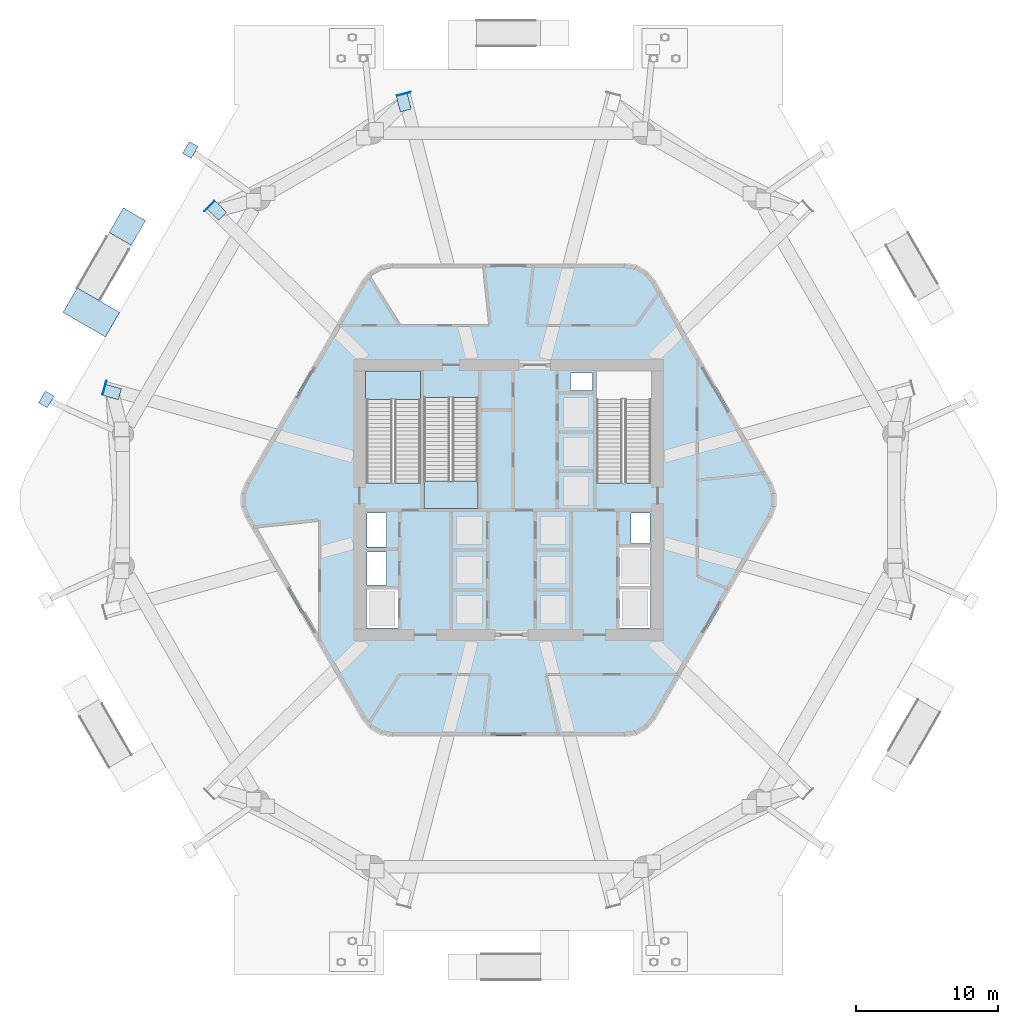
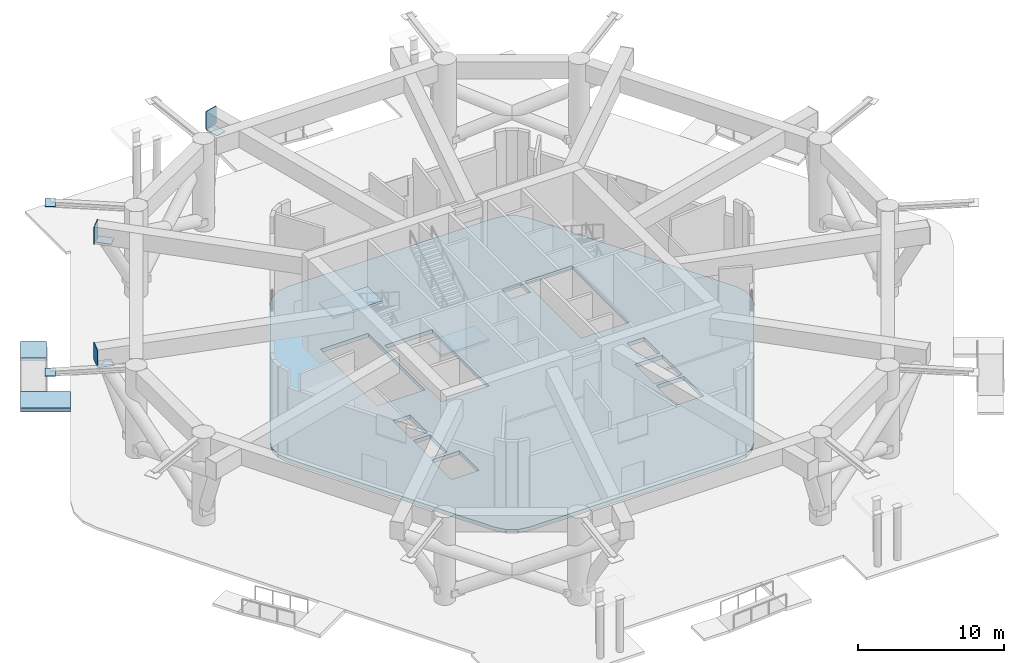
# One storey, part 6 of 17: 8 plates, 5 slabs, 2 elements without a shape of their own.
"""IFC4 building model written with IfcOpenShell, lengths in metres."""

import ifcopenshell
import ifcopenshell.guid

model = None  # the IFC model being written
_history = None  # IfcOwnerHistory: only IFC2X3 demands one
_inside = {}  # id of a spatial element -> (the spatial element, [elements in it])
_under = {}  # id of a project, library or spatial element -> (it, [spatial elements below it])
_declared = {}  # id of a project -> (the project, [libraries it declares])
_typed = {}  # id of a type object -> (the type object, [elements of that type])
_made_of = {}  # id of a material, layer set ... -> (it, [elements and type objects made of it])


def new_model(schema):
    """Start an empty IFC model of exactly this schema.

    Asked for "IFC4X3", IfcOpenShell would pick the latest addendum, in which some entities
    have other attributes; the version numbers below select the first issue.
    IFC2X3 requires an IfcOwnerHistory on every rooted entity: one is made here for all.
    """
    global model, _history
    if schema == "IFC4X3":
        model = ifcopenshell.file(schema_version=(4, 3, 0, 0))
    else:
        model = ifcopenshell.file(schema=schema)
    _inside.clear()
    _under.clear()
    _declared.clear()
    _typed.clear()
    _made_of.clear()
    _history = None
    if model.schema == "IFC2X3":
        org = make("IfcOrganization", Name="unknown")
        user = make(
            "IfcPersonAndOrganization",
            ThePerson=make("IfcPerson", FamilyName="unknown"),
            TheOrganization=org,
        )
        app = make(
            "IfcApplication",
            ApplicationDeveloper=org,
            Version="unknown",
            ApplicationFullName="unknown",
            ApplicationIdentifier="unknown",
        )
        _history = make(
            "IfcOwnerHistory",
            OwningUser=user,
            OwningApplication=app,
            ChangeAction="ADDED",
            CreationDate=0,
        )
    return model


def make(cls, **values):
    """One entity of the class cls with the attributes given. An attribute that is None is left unset."""
    return model.create_entity(
        cls, **{name: value for name, value in values.items() if value is not None}
    )


def rooted(cls, **values):
    """An entity with a GlobalId (a new one), such as an element, a storey or a relation."""
    return make(cls, GlobalId=ifcopenshell.guid.new(), OwnerHistory=_history, **values)


def si_unit(unit_type, name, prefix=None):
    """IfcSIUnit, for example si_unit("LENGTHUNIT", "METRE", prefix="MILLI")."""
    return make("IfcSIUnit", UnitType=unit_type, Prefix=prefix, Name=name)


def assignment(units):
    """IfcUnitAssignment: the units of a project."""
    return None if units is None else make("IfcUnitAssignment", Units=units)


def point(xyz):
    """IfcCartesianPoint."""
    return None if xyz is None else make("IfcCartesianPoint", Coordinates=xyz)


def direction(xyz):
    """IfcDirection."""
    return None if xyz is None else make("IfcDirection", DirectionRatios=xyz)


def frame(location, z_axis=None, x_axis=None):
    """IfcAxis2Placement3D, a coordinate frame: its origin and axes. An axis left out is left unset."""
    return make(
        "IfcAxis2Placement3D",
        Location=point(location),
        Axis=direction(z_axis),
        RefDirection=direction(x_axis),
    )


def frame_2d(location, x_axis=None):
    """IfcAxis2Placement2D, a coordinate frame in the plane: its origin and x axis."""
    return make(
        "IfcAxis2Placement2D", Location=point(location), RefDirection=direction(x_axis)
    )


def origin():
    """The frame at (0, 0, 0) with its axes left unset."""
    return frame((0.0, 0.0, 0.0))


def origin_2d():
    """The frame at (0, 0) in the plane with its x axis left unset."""
    return frame_2d((0.0, 0.0))


def place(relative_to, where):
    """IfcLocalPlacement: puts the frame where relative to a parent placement (None: the world)."""
    return make(
        "IfcLocalPlacement", PlacementRelTo=relative_to, RelativePlacement=where
    )


def context(
    kind, dimensions, precision=None, world=None, true_north=None, identifier=None
):
    """IfcGeometricRepresentationContext, for example the 3D "Model" context."""
    return make(
        "IfcGeometricRepresentationContext",
        ContextIdentifier=identifier,
        ContextType=kind,
        CoordinateSpaceDimension=dimensions,
        Precision=precision,
        WorldCoordinateSystem=world,
        TrueNorth=true_north,
    )


def subcontext(parent, identifier, kind, view, scale=None):
    """IfcGeometricRepresentationSubContext, for example "Body" below "Model"."""
    return make(
        "IfcGeometricRepresentationSubContext",
        ContextIdentifier=identifier,
        ContextType=kind,
        ParentContext=parent,
        TargetScale=scale,
        TargetView=view,
    )


def project(units=None, contexts=None):
    """IfcProject with its units and contexts."""
    return rooted(
        "IfcProject",
        Name="project",
        RepresentationContexts=contexts,
        UnitsInContext=assignment(units),
    )


def spatial(cls, under=None, at=None, **own):
    """A site, building, storey or space (cls), placed at a placement, below another one or the project."""
    s = rooted(cls, ObjectPlacement=at, **own)
    if under is not None:
        _under.setdefault(under.id(), (under, []))[1].append(s)
    return s


def polyline(points):
    """IfcPolyline through the points."""
    return make("IfcPolyline", Points=[point(p) for p in points])


def profile(cls, at=None, kind="AREA", **sizes):
    """A parametric profile (cls). Its sizes go by their IFC names, for example OverallWidth=200.0."""
    return make(cls, ProfileType=kind, Position=at, **sizes)


def rectangle(**sizes):
    """IfcRectangleProfileDef."""
    return profile("IfcRectangleProfileDef", **sizes)


def outline(outer, holes=None, kind="AREA"):
    """IfcArbitraryClosedProfileDef: a profile drawn as a closed curve; with holes, ...WithVoids."""
    if holes is None:
        return make("IfcArbitraryClosedProfileDef", ProfileType=kind, OuterCurve=outer)
    return make(
        "IfcArbitraryProfileDefWithVoids",
        ProfileType=kind,
        OuterCurve=outer,
        InnerCurves=holes,
    )


def extrude(swept, where, along, depth):
    """IfcExtrudedAreaSolid: the profile swept, set in the frame where, extruded along a direction by depth."""
    return make(
        "IfcExtrudedAreaSolid",
        SweptArea=swept,
        Position=where,
        ExtrudedDirection=direction(along),
        Depth=depth,
    )


def shape(context_of_items, identifier, shape_type, items):
    """IfcShapeRepresentation: the items that make up one representation, for example the "Body"."""
    return make(
        "IfcShapeRepresentation",
        ContextOfItems=context_of_items,
        RepresentationIdentifier=identifier,
        RepresentationType=shape_type,
        Items=items,
    )


def material(Name=None, Category=None):
    """IfcMaterial."""
    return make("IfcMaterial", Name=Name, Category=Category)


def layer(
    of_material, thickness, ventilated=None, Name=None, Category=None, Priority=None
):
    """IfcMaterialLayer: one layer of a wall or slab, of a material (None: an air gap)."""
    return make(
        "IfcMaterialLayer",
        Material=of_material,
        LayerThickness=thickness,
        IsVentilated=ventilated,
        Name=Name,
        Category=Category,
        Priority=Priority,
    )


def layer_set(layers, Name=None):
    """IfcMaterialLayerSet."""
    return make("IfcMaterialLayerSet", MaterialLayers=layers, LayerSetName=Name)


def made_of(thing, what):
    """Note that an element or type object is made of a material, layer set ...; save() writes the relation."""
    if what is not None:
        _made_of.setdefault(what.id(), (what, []))[1].append(thing)
    return thing


def type_object(cls, material=None, **own):
    """A type object (cls), such as IfcWallType, which elements share."""
    return made_of(rooted(cls, **own), material)


def element(
    cls,
    number,
    at=None,
    inside=None,
    cuts=None,
    type_object=None,
    material=None,
    context=None,
    identifier="Body",
    shape_type=None,
    held_by="IfcProductDefinitionShape",
    body=None,
    shapes=None,
    **own,
):
    """One element of the class cls, such as IfcWall. Its Tag is "e" and its number.

    at: its placement. inside: the storey or other place that contains it. cuts: it is an
    opening in that element (IfcRelVoidsElement). A single representation is given by context,
    identifier, shape_type and body (its items); several are given by shapes. held_by: the class
    of the entity that holds the representations. save() writes the other relations.
    """
    e = rooted(cls, Tag="e%d" % number, ObjectPlacement=at, **own)
    if body is not None:
        shapes = [shape(context, identifier, shape_type, body)]
    if shapes is not None:
        e.Representation = make(held_by, Representations=shapes)
    if inside is not None:
        _inside.setdefault(inside.id(), (inside, []))[1].append(e)
    if cuts is not None:
        rooted(
            "IfcRelVoidsElement", RelatingBuildingElement=cuts, RelatedOpeningElement=e
        )
    if type_object is not None:
        _typed.setdefault(type_object.id(), (type_object, []))[1].append(e)
    return made_of(e, material)


def aggregate(whole, parts):
    """IfcRelAggregates: a whole, such as a stair, and the parts it consists of."""
    return rooted("IfcRelAggregates", RelatingObject=whole, RelatedObjects=parts)


def save(model, path):
    """Write the relations noted so far, then the file.

    IfcRelAggregates (storeys below a building ...), IfcRelContainedInSpatialStructure (elements
    in a storey), IfcRelDefinesByType, IfcRelAssociatesMaterial and IfcRelDeclares: one each for
    every whole, place, type object, material and project.
    """
    for whole, parts in _under.values():
        aggregate(whole, parts)
    for where, things in _inside.values():
        rooted(
            "IfcRelContainedInSpatialStructure",
            RelatedElements=things,
            RelatingStructure=where,
        )
    for kind, things in _typed.values():
        rooted("IfcRelDefinesByType", RelatedObjects=things, RelatingType=kind)
    for what, things in _made_of.values():
        rooted("IfcRelAssociatesMaterial", RelatedObjects=things, RelatingMaterial=what)
    for by, libraries in _declared.values():
        rooted("IfcRelDeclares", RelatingContext=by, RelatedDefinitions=libraries)
    model.write(path)


model = new_model("IFC4")

# Units and contexts
model_context = context("Model", 3, precision=1e-05, world=origin(), true_north=direction((0.0, 1.0)))
body_context = subcontext(model_context, "Body", "Model", "MODEL_VIEW")
ifc_project = project(units=[si_unit("LENGTHUNIT", "METRE"), si_unit("AREAUNIT", "SQUARE_METRE"), si_unit("VOLUMEUNIT", "CUBIC_METRE"), si_unit("PLANEANGLEUNIT", "RADIAN"), si_unit("MASSUNIT", "GRAM", prefix="KILO")], contexts=[model_context])

# Site, building, storey
site_placement = place(None, origin())
site = spatial("IfcSite", under=ifc_project, at=site_placement, CompositionType="ELEMENT")
building_placement = place(site_placement, origin())
building = spatial("IfcBuilding", under=site, at=building_placement, Name="Zuhravey Tower", CompositionType="ELEMENT")
storey_placement = place(building_placement, origin())
storey = spatial("IfcBuildingStorey", under=building, at=storey_placement, Name="L01", CompositionType="ELEMENT", Elevation=0.0)

# Slab
ifc_material_1 = material(Name="Concrete C50/60", Category="concrete")
ifc_layer_1 = layer(ifc_material_1, 0.320068359375)
ifc_layer_set_1 = layer_set([ifc_layer_1], Name="Concrete C50/60")
slab_type_1 = type_object("IfcSlabType", Name="Basement Suspended Slab 320", PredefinedType="FLOOR", material=ifc_layer_set_1)
slab_1_placement = place(storey_placement, frame((0.0, 0.0, -0.320068359375)))
element("IfcSlab", 1, at=slab_1_placement, inside=storey, type_object=slab_type_1, Name="L01 Stilt Pavilion Floor Slab FS32", PredefinedType="FLOOR", context=body_context, shape_type="SweptSolid", body=[
    extrude(outline(polyline([(54.507080078125, 30.800048828125), (54.792236328125, 31.583251953125), (54.792236328125, 32.416748046875), (54.507080078125, 33.199951171875), (46.292724609375, 47.427734375), (45.757080078125, 48.066162109375), (45.03515625, 48.48291015625), (44.21435546875, 48.627685546875), (27.78564453125, 48.627685546875), (26.96484375, 48.48291015625), (26.242919921875, 48.066162109375), (25.707275390625, 47.427734375), (17.492919921875, 33.199951171875), (17.207763671875, 32.416748046875), (17.207763671875, 31.583251953125), (17.492919921875, 30.800048828125), (25.707275390625, 16.572265625), (26.242919921875, 15.933837890625), (26.96484375, 15.51708984375), (27.78564453125, 15.372314453125), (44.21435546875, 15.372314453125), (45.03515625, 15.51708984375), (45.757080078125, 15.933837890625), (46.292724609375, 16.572265625), (54.507080078125, 30.800048828125)]), holes=[polyline([(29.800048828125, 33.20068359375), (29.800048828125, 41.0), (26.0, 41.0), (26.0, 33.20068359375), (29.800048828125, 33.20068359375)]), polyline([(46.0, 33.20068359375), (46.0, 41.0), (42.199951171875, 41.0), (42.199951171875, 33.20068359375), (46.0, 33.20068359375)]), polyline([(30.050048828125, 39.199462890625), (30.050048828125, 31.39990234375), (33.85009765625, 31.39990234375), (33.85009765625, 39.199462890625), (30.050048828125, 39.199462890625)]), polyline([(26.0, 23.0), (28.199951171875, 23.0), (28.199951171875, 25.699951171875), (26.0, 25.699951171875), (26.0, 23.0)]), polyline([(43.800048828125, 23.0), (46.0, 23.0), (46.0, 25.699951171875), (43.800048828125, 25.699951171875), (43.800048828125, 23.0)]), polyline([(43.800048828125, 25.949951171875), (46.0, 25.949951171875), (46.0, 28.64990234375), (43.800048828125, 28.64990234375), (43.800048828125, 25.949951171875)]), polyline([(26.050048828125, 26.0), (27.39990234375, 26.0), (27.39990234375, 28.35009765625), (26.050048828125, 28.35009765625), (26.050048828125, 26.0)]), polyline([(26.050048828125, 28.699951171875), (27.39990234375, 28.699951171875), (27.39990234375, 31.10009765625), (26.050048828125, 31.10009765625), (26.050048828125, 28.699951171875)]), polyline([(44.60009765625, 28.949951171875), (45.949951171875, 28.949951171875), (45.949951171875, 31.10009765625), (44.60009765625, 31.10009765625), (44.60009765625, 28.949951171875)]), polyline([(40.35009765625, 39.699951171875), (41.89990234375, 39.699951171875), (41.89990234375, 40.949951171875), (40.35009765625, 40.949951171875), (40.35009765625, 39.699951171875)])]), origin(), (0.0, 0.0, 1.0), 0.320068359375),
])

# Plates
ifc_material_2 = material(Name="Steel SM460", Category="steel")
ifc_layer_2 = layer(ifc_material_2, 0.0400390625)
ifc_layer_set_2 = layer_set([ifc_layer_2], Name="Steel SM460")
plate_type_1 = type_object("IfcPlateType", Name="Exoskeleton Zone 1 Node Plate ND1", PredefinedType="SHEET", material=ifc_layer_set_2)
for number, where, z_axis, x_axis, name in (
    (2, (13.599365234375, 56.637939453125, 7.115966796875), (0.0, 0.0, 1.0), (-0.5, -0.866025403784, 0.0), "L01 Exoskeleton Node Gusset L02-05"),
    (3, (3.462646484375, 39.08056640625, 7.115966796875), (0.0, 0.0, 1.0), (-0.5, -0.866025403784, 0.0), "L01 Exoskeleton Node Gusset L02-06"),
):
    element("IfcPlate", number, at=place(storey_placement, frame(where, z_axis=z_axis, x_axis=x_axis)), inside=storey, type_object=plate_type_1, Name=name, PredefinedType="SHEET", context=body_context, shape_type="SweptSolid", body=[
        extrude(rectangle(XDim=0.9599609375, YDim=0.699951171875, at=origin_2d()), origin(), (0.0, 0.0, 1.0), 0.0400390625),
    ])

# Slabs
ifc_layer_3 = layer(ifc_material_1, 0.260009765625)
ifc_layer_set_3 = layer_set([ifc_layer_3], Name="Concrete C50/60")
slab_type_2 = type_object("IfcSlabType", Name="Sky-Playground & Garden Tray Slab 260", PredefinedType="FLOOR", material=ifc_layer_set_3)
slab_2_placement = place(storey_placement, frame((0.0, 0.0, -0.320068359375)))
element("IfcSlab", 4, at=slab_2_placement, inside=storey, type_object=slab_type_2, Name="L01 Ramp 3 Upper Landing", PredefinedType="FLOOR", context=body_context, shape_type="SweptSolid", body=[
    extrude(outline(polyline([(8.625244140625, 45.20751953125), (7.625, 43.474853515625), (4.63720703125, 45.199951171875), (5.637451171875, 46.9326171875), (8.625244140625, 45.20751953125)])), origin(), (0.0, 0.0, 1.0), 0.320068359375),
])
slab_3_placement = place(storey_placement, frame((0.0, 0.0, -0.580078125)))
element("IfcSlab", 5, at=slab_3_placement, inside=storey, type_object=slab_type_2, Name="L01 Ramp 3 Lower Grade Landing", PredefinedType="FLOOR", context=body_context, shape_type="SweptSolid", body=[
    extrude(outline(polyline([(10.446044921875, 51.6611328125), (9.44580078125, 49.928466796875), (7.886962890625, 50.828369140625), (8.88720703125, 52.56103515625), (10.446044921875, 51.6611328125)])), origin(), (0.0, 0.0, 1.0), 0.219970703125),
])

# Stair, slab
ifc_material_3 = material(Name="Concrete C40/50", Category="concrete")
stair_type = type_object("IfcStairType", Name="Stilt Ground Stair Assembly 7800", PredefinedType="HALF_TURN_STAIR", material=ifc_material_3)
stair_1_placement = place(storey_placement, origin())
stair_1 = element("IfcStair", 6, at=stair_1_placement, inside=storey, type_object=stair_type, Name="L01 Core Exit Stair ST1", PredefinedType="HALF_TURN_STAIR")
ifc_layer_4 = layer(ifc_material_3, 0.199951171875)
ifc_layer_set_4 = layer_set([ifc_layer_4], Name="Concrete C40/50")
slab_type_3 = type_object("IfcSlabType", Name="Stair Landing Slab 200", PredefinedType="LANDING", material=ifc_layer_set_4)
slab_4_placement = place(storey_placement, frame((0.0, 0.0, 3.699951171875)))
slab_4 = element("IfcSlab", 7, at=slab_4_placement, type_object=slab_type_3, Name="ST1 landing 1", PredefinedType="LANDING", context=body_context, shape_type="SweptSolid", body=[
    extrude(outline(polyline([(29.800048828125, 39.080078125), (29.800048828125, 41.072998046875), (25.927001953125, 41.072998046875), (25.927001953125, 39.080078125), (29.800048828125, 39.080078125)])), origin(), (0.0, 0.0, 1.0), 0.199951171875),
])
aggregate(stair_1, [slab_4])

stair_2_placement = place(storey_placement, origin())
stair_2 = element("IfcStair", 8, at=stair_2_placement, inside=storey, type_object=stair_type, Name="L01 Core Exit Stair ST3", PredefinedType="HALF_TURN_STAIR")
slab_5_placement = place(storey_placement, frame((0.0, 0.0, 3.699951171875)))
slab_5 = element("IfcSlab", 9, at=slab_5_placement, type_object=slab_type_3, Name="ST3 landing 1", PredefinedType="LANDING", context=body_context, shape_type="SweptSolid", body=[
    extrude(outline(polyline([(30.050048828125, 33.320068359375), (30.050048828125, 31.39990234375), (33.85009765625, 31.39990234375), (33.85009765625, 33.320068359375), (30.050048828125, 33.320068359375)])), origin(), (0.0, 0.0, 1.0), 0.199951171875),
])
aggregate(stair_2, [slab_5])

# Plates
ifc_layer_5 = layer(ifc_material_2, 0.0400390625)
ifc_layer_set_5 = layer_set([ifc_layer_5], Name="Steel SM460")
plate_type_2 = type_object("IfcPlateType", Name="Stilt Transfer Node Plate ND5", PredefinedType="SHEET", material=ifc_layer_set_5)
plate_1_placement = place(storey_placement, frame((28.6298828125, 59.948486328125, 5.910400390625), z_axis=(0.0, 0.0, 1.0), x_axis=(-0.249873048837, 0.968278606324, 0.0)))
element("IfcPlate", 10, at=plate_1_placement, inside=storey, type_object=plate_type_2, Name="L01 Transfer Node Gusset ND5-T04", PredefinedType="SHEET", context=body_context, shape_type="SweptSolid", body=[
    extrude(rectangle(XDim=1.10009765625, YDim=0.800048828125, at=origin_2d()), origin(), (0.0, 0.0, 1.0), 0.0400390625),
])
plate_2_placement = place(storey_placement, frame((28.626220703125, 60.5830078125, 5.919921875), z_axis=(0.0, 0.0, 1.0), x_axis=(-0.249873048837, 0.968278606324, 0.0)))
element("IfcPlate", 11, at=plate_2_placement, inside=storey, type_object=plate_type_2, Name="L01 Transfer End Cap ND5-C04", PredefinedType="SHEET", context=body_context, shape_type="SweptSolid", body=[
    extrude(rectangle(XDim=0.0400390625, YDim=1.0, at=origin_2d()), origin(), (0.0, 0.0, 1.0), 1.4599609375),
])
plate_3_placement = place(storey_placement, frame((15.48095703125, 52.35693359375, 5.910400390625), z_axis=(0.0, 0.0, 1.0), x_axis=(-0.713617346599, 0.700535711176, 0.0)))
element("IfcPlate", 12, at=plate_3_placement, inside=storey, type_object=plate_type_2, Name="L01 Transfer Node Gusset ND5-T05", PredefinedType="SHEET", context=body_context, shape_type="SweptSolid", body=[
    extrude(rectangle(XDim=1.10009765625, YDim=0.800048828125, at=origin_2d()), origin(), (0.0, 0.0, 1.0), 0.0400390625),
])
plate_4_placement = place(storey_placement, frame((14.933349609375, 52.677490234375, 5.919921875), z_axis=(0.0, 0.0, 1.0), x_axis=(-0.713617346599, 0.700535711176, 0.0)))
element("IfcPlate", 13, at=plate_4_placement, inside=storey, type_object=plate_type_2, Name="L01 Transfer End Cap ND5-C05", PredefinedType="SHEET", context=body_context, shape_type="SweptSolid", body=[
    extrude(rectangle(XDim=0.0400390625, YDim=1.0, at=origin_2d()), origin(), (0.0, 0.0, 1.0), 1.4599609375),
])
plate_5_placement = place(storey_placement, frame((8.11083984375, 39.591552734375, 5.910400390625), z_axis=(0.0, 0.0, 1.0), x_axis=(-0.963490395436, 0.267742895148, 0.0)))
element("IfcPlate", 14, at=plate_5_placement, inside=storey, type_object=plate_type_2, Name="L01 Transfer Node Gusset ND5-T06", PredefinedType="SHEET", context=body_context, shape_type="SweptSolid", body=[
    extrude(rectangle(XDim=1.10009765625, YDim=0.800048828125, at=origin_2d()), origin(), (0.0, 0.0, 1.0), 0.0400390625),
])
plate_6_placement = place(storey_placement, frame((7.5595703125, 39.905517578125, 5.919921875), z_axis=(0.0, 0.0, 1.0), x_axis=(-0.963490395436, 0.267742895148, 0.0)))
element("IfcPlate", 15, at=plate_6_placement, inside=storey, type_object=plate_type_2, Name="L01 Transfer End Cap ND5-C06", PredefinedType="SHEET", context=body_context, shape_type="SweptSolid", body=[
    extrude(rectangle(XDim=0.0400390625, YDim=1.0, at=origin_2d()), origin(), (0.0, 0.0, 1.0), 1.4599609375),
])

save(model, "model.ifc")
